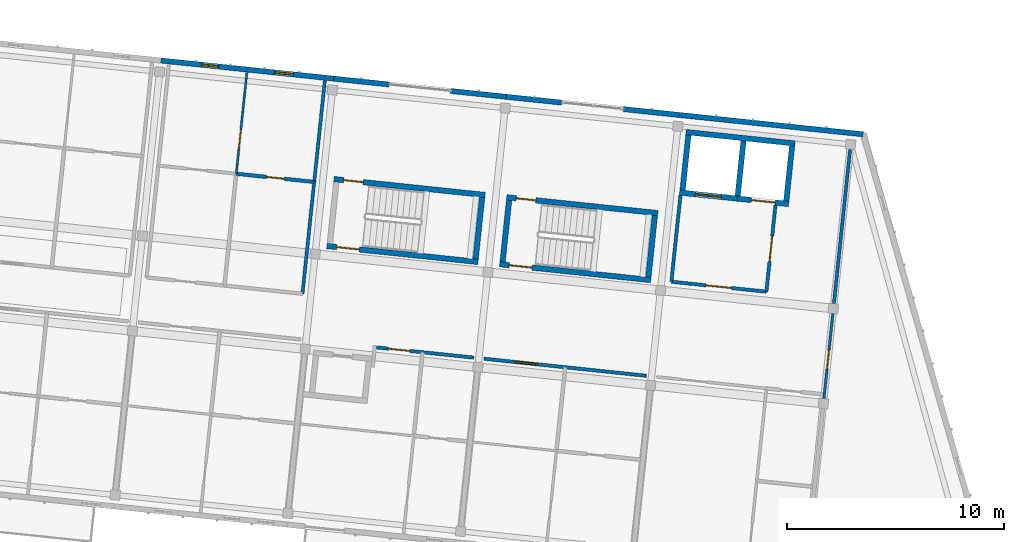
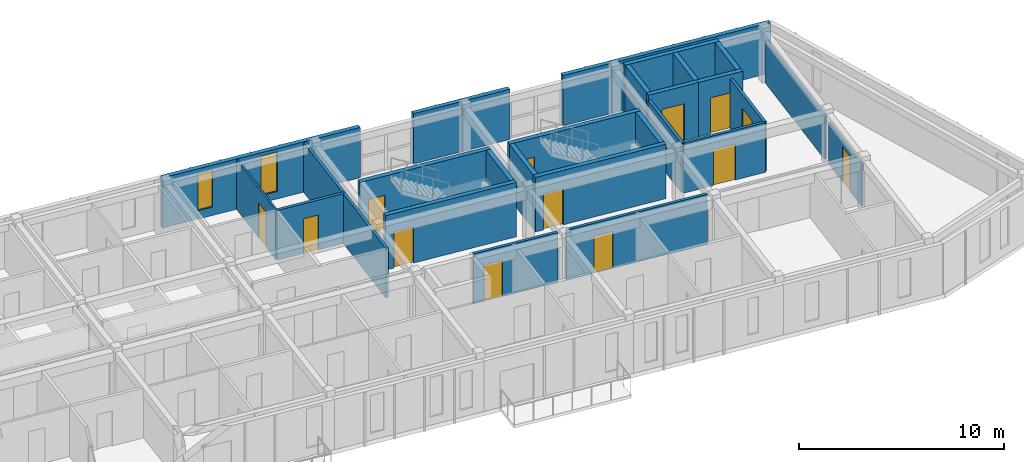
# One storey, part 36 of 64: 29 walls, 13 doors, 2 windows, 15 openings.
"""IFC4 building model written with IfcOpenShell, lengths in metres."""

from ifc_helpers import new_model, si_unit, direction, frame, frame_2d, origin, place, context, subcontext, project, spatial, rectangle, extrude, material, layer, layer_set, type_object, element, fill, save


model = new_model("IFC4")

# Units and contexts
model_context = context("Model", 3, precision=1e-05, world=origin(), true_north=direction((0.0, 1.0)))
body_context = subcontext(model_context, "Body", "Model", "MODEL_VIEW")
ifc_project = project(units=[si_unit("LENGTHUNIT", "METRE"), si_unit("AREAUNIT", "SQUARE_METRE"), si_unit("VOLUMEUNIT", "CUBIC_METRE"), si_unit("PLANEANGLEUNIT", "RADIAN"), si_unit("MASSUNIT", "GRAM", prefix="KILO")], contexts=[model_context])

# Site, building, storey
site_placement = place(None, origin())
site = spatial("IfcSite", under=ifc_project, at=site_placement, CompositionType="ELEMENT")
building_placement = place(site_placement, origin())
building = spatial("IfcBuilding", under=site, at=building_placement, Name="Kestramere Prow Commons", CompositionType="ELEMENT")
storey_placement = place(building_placement, frame((0.0, 0.0, 24.64990234375)))
storey = spatial("IfcBuildingStorey", under=building, at=storey_placement, Name="L07", CompositionType="ELEMENT", Elevation=24.64990234375)

# Wall, openings, windows
ifc_material_1 = material(Name="Fluoropolymer Standing-Seam Zinc-Aluminium Cladding", Category="aluminium")
ifc_layer_1 = layer(ifc_material_1, 0.239990234375)
ifc_layer_set_1 = layer_set([ifc_layer_1], Name="Fluoropolymer Standing-Seam Zinc-Aluminium Cladding")
wall_type_1 = type_object("IfcWallType", Name="EW-SEAM-240", PredefinedType="SOLIDWALL", material=ifc_layer_set_1)
wall_1_placement = place(storey_placement, frame((128.015869140625, 113.142333984375, 0.0), z_axis=(0.0, 0.0, 1.0), x_axis=(0.994522662826, -0.104521161134, 0.0)))
wall_1 = element("IfcWall", 1, at=wall_1_placement, inside=storey, type_object=wall_type_1, Name="Block B L07 North Standing-Seam Wall 3", PredefinedType="SOLIDWALL", context=body_context, shape_type="SweptSolid", body=[
    extrude(rectangle(XDim=8.0, YDim=0.239990234375, at=frame_2d((4.0, 0.0))), origin(), (0.0, 0.0, 1.0), 3.0),
])
opening_1_placement = place(wall_1_placement, frame((1.894775390625, 0.0, 0.5)))
opening_1 = element("IfcOpeningElement", 2, at=opening_1_placement, cuts=wall_1, Name="Opening WN-11", PredefinedType="OPENING", context=body_context, shape_type="SweptSolid", body=[
    extrude(rectangle(XDim=0.780029296875, YDim=2.199951171875, at=frame_2d((0.39013671875, 1.10009765625))), frame((0.0, 0.135009765625, 0.0), z_axis=(0.0, -1.0, 0.0), x_axis=(1.0, 0.0, 0.0)), (0.0, 0.0, 1.0), 0.27001953125),
])
opening_2_placement = place(wall_1_placement, frame((5.27587890625, 0.0, 0.43994140625)))
opening_2 = element("IfcOpeningElement", 3, at=opening_2_placement, cuts=wall_1, Name="Opening WN-15", PredefinedType="OPENING", context=body_context, shape_type="SweptSolid", body=[
    extrude(rectangle(XDim=0.860107421875, YDim=2.360107421875, at=frame_2d((0.43017578125, 1.18017578125))), frame((0.0, 0.135009765625, 0.0), z_axis=(0.0, -1.0, 0.0), x_axis=(1.0, 0.0, 0.0)), (0.0, 0.0, 1.0), 0.27001953125),
])
ifc_material_2 = material(Name="Low-E Laminated Double Glazing", Category="glass")
window_type_1 = type_object("IfcWindowType", Name="WN-NAR-780A", PartitioningType="SINGLE_PANEL", PredefinedType="WINDOW", material=ifc_material_2)
window_1_placement = place(opening_1_placement, origin())
window_1 = element("IfcWindow", 4, at=window_1_placement, inside=storey, type_object=window_type_1, Name="WN-B-L07-N-2-0", OverallHeight=2.199951171875, OverallWidth=0.780029296875, PartitioningType="SINGLE_PANEL", PredefinedType="WINDOW", context=body_context, shape_type="SweptSolid", body=[
    extrude(rectangle(XDim=0.780029296875, YDim=2.199951171875, at=frame_2d((0.39013671875, 1.10009765625))), frame((0.0, 0.030029296875, 0.0), z_axis=(0.0, -1.0, 0.0), x_axis=(1.0, 0.0, 0.0)), (0.0, 0.0, 1.0), 0.06005859375),
])
fill(opening_1, window_1)
window_type_2 = type_object("IfcWindowType", Name="WN-NAR-860A", PartitioningType="DOUBLE_PANEL_VERTICAL", PredefinedType="WINDOW", material=ifc_material_2)
window_2_placement = place(opening_2_placement, origin())
window_2 = element("IfcWindow", 5, at=window_2_placement, inside=storey, type_object=window_type_2, Name="WN-B-L07-N-2-1", OverallHeight=2.360107421875, OverallWidth=0.860107421875, PartitioningType="SINGLE_PANEL", PredefinedType="WINDOW", context=body_context, shape_type="SweptSolid", body=[
    extrude(rectangle(XDim=0.860107421875, YDim=2.360107421875, at=frame_2d((0.43017578125, 1.18017578125))), frame((0.0, 0.030029296875, 0.0), z_axis=(0.0, -1.0, 0.0), x_axis=(1.0, 0.0, 0.0)), (0.0, 0.0, 1.0), 0.06005859375),
])
fill(opening_2, window_2)

# Walls
for number, where, z_axis, x_axis, name in (
    (6, (135.97216796875, 112.30615234375, 0.0), (0.0, 0.0, 1.0), (0.99451635776, -0.104581136677, 0.0), "Block B L07 North Standing-Seam Pier 4L"),
    (7, (141.367431640625, 111.739013671875, 0.0), (0.0, 0.0, 1.0), (0.99451635776, -0.104581136677, 0.0), "Block B L07 North Standing-Seam Pier 4R"),
):
    element("IfcWall", number, at=place(storey_placement, frame(where, z_axis=z_axis, x_axis=x_axis)), inside=storey, type_object=wall_type_1, Name=name, PredefinedType="SOLIDWALL", context=body_context, shape_type="SweptSolid", body=[
        extrude(rectangle(XDim=2.574951171875, YDim=0.239990234375, at=frame_2d((1.28759765625, 0.0))), origin(), (0.0, 0.0, 1.0), 3.0),
    ])
wall_2_placement = place(storey_placement, frame((143.92822265625, 111.4697265625, 0.0), z_axis=(0.0, 0.0, 1.0), x_axis=(0.994527249958, -0.104477505191, 0.0)))
element("IfcWall", 8, at=wall_2_placement, inside=storey, type_object=wall_type_1, Name="Block B L07 North Standing-Seam Pier 5L", PredefinedType="SOLIDWALL", context=body_context, shape_type="SweptSolid", body=[
    extrude(rectangle(XDim=2.5751953125, YDim=0.239990234375, at=frame_2d((1.28759765625, 0.0))), origin(), (0.0, 0.0, 1.0), 3.0),
])
wall_3_placement = place(storey_placement, frame((149.32373046875, 110.90283203125, 0.0), z_axis=(0.0, 0.0, 1.0), x_axis=(0.99451635776, -0.104581136677, 0.0)))
element("IfcWall", 9, at=wall_3_placement, inside=storey, type_object=wall_type_1, Name="Block B L07 North Standing-Seam Pier 5R", PredefinedType="SOLIDWALL", context=body_context, shape_type="SweptSolid", body=[
    extrude(rectangle(XDim=2.574951171875, YDim=0.239990234375, at=frame_2d((1.28759765625, 0.0))), origin(), (0.0, 0.0, 1.0), 3.0),
])
wall_4_placement = place(storey_placement, frame((151.884521484375, 110.633544921875, 0.0), z_axis=(0.0, 0.0, 1.0), x_axis=(0.994521760736, -0.104529744196, 0.0)))
element("IfcWall", 10, at=wall_4_placement, inside=storey, type_object=wall_type_1, Name="Block B L07 North Standing-Seam Wall 6", PredefinedType="SOLIDWALL", context=body_context, shape_type="SweptSolid", body=[
    extrude(rectangle(XDim=8.52490234375, YDim=0.239990234375, at=frame_2d((4.262451171875, 0.0))), origin(), (0.0, 0.0, 1.0), 3.0),
])
ifc_material_3 = material(Name="Concrete C40/50", Category="concrete")
ifc_layer_2 = layer(ifc_material_3, 0.25)
ifc_layer_set_2 = layer_set([ifc_layer_2], Name="Concrete C40/50")
wall_type_2 = type_object("IfcWallType", Name="W-CORE-250", PredefinedType="SHEAR", material=ifc_layer_set_2)
wall_5_placement = place(storey_placement, frame((152.203857421875, 109.845947265625, 0.0), z_axis=(0.0, 0.0, 1.0), x_axis=(0.994522922189, -0.104518693261, 0.0)))
element("IfcWall", 11, at=wall_5_placement, inside=storey, type_object=wall_type_2, Name="Block B L07 Lift Core Back Wall", PredefinedType="SHEAR", context=body_context, shape_type="SweptSolid", body=[
    extrude(rectangle(XDim=5.050048828125, YDim=0.25, at=frame_2d((2.52490234375, 0.0))), origin(), (0.0, 0.0, 1.0), 3.25),
])

# Wall, opening, door
wall_6_placement = place(storey_placement, frame((151.9111328125, 107.061279296875, 0.0), z_axis=(0.0, 0.0, 1.0), x_axis=(0.994524939068, -0.104499500343, 0.0)))
wall_6 = element("IfcWall", 12, at=wall_6_placement, inside=storey, type_object=wall_type_2, Name="Block B L07 Fire Lift Shaft Front Wall", PredefinedType="SHEAR", context=body_context, shape_type="SweptSolid", body=[
    extrude(rectangle(XDim=2.675048828125, YDim=0.25, at=frame_2d((1.33740234375, 0.0))), origin(), (0.0, 0.0, 1.0), 3.25),
])
opening_3_placement = place(wall_6_placement, frame((0.719970703125, 0.0, 0.0)))
opening_3 = element("IfcOpeningElement", 13, at=opening_3_placement, cuts=wall_6, Name="Opening LD-02", PredefinedType="OPENING", context=body_context, shape_type="SweptSolid", body=[
    extrude(rectangle(XDim=1.199951171875, YDim=2.199951171875, at=frame_2d((0.60009765625, 1.10009765625))), frame((0.0, 0.139892578125, 0.0), z_axis=(0.0, -1.0, 0.0), x_axis=(1.0, 0.0, 0.0)), (0.0, 0.0, 1.0), 0.280029296875),
])
ifc_material_4 = material(Name="Brushed Stainless Steel 316", Category="steel")
door_type_1 = type_object("IfcDoorType", Name="LD-02", OperationType="DOUBLE_DOOR_SLIDING", PredefinedType="DOOR", material=ifc_material_4)
door_1_placement = place(opening_3_placement, origin())
door_1 = element("IfcDoor", 14, at=door_1_placement, inside=storey, type_object=door_type_1, Name="FL-B1 L07 Lift Landing Door", OperationType="DOUBLE_DOOR_SLIDING", OverallHeight=2.199951171875, OverallWidth=1.199951171875, PredefinedType="DOOR", context=body_context, shape_type="SweptSolid", body=[
    extrude(rectangle(XDim=1.199951171875, YDim=2.199951171875, at=frame_2d((0.60009765625, 1.10009765625))), frame((0.0, 0.02490234375, 0.0), z_axis=(0.0, -1.0, 0.0), x_axis=(1.0, 0.0, 0.0)), (0.0, 0.0, 1.0), 0.050048828125),
])
fill(opening_3, door_1)

wall_7_placement = place(storey_placement, frame((154.571533203125, 106.78173828125, 0.0), z_axis=(0.0, 0.0, 1.0), x_axis=(0.994520650134, -0.1045403102, 0.0)))
wall_7 = element("IfcWall", 15, at=wall_7_placement, inside=storey, type_object=wall_type_2, Name="Block B L07 Passenger Lift Shaft Front Wall", PredefinedType="SHEAR", context=body_context, shape_type="SweptSolid", body=[
    extrude(rectangle(XDim=2.375, YDim=0.25, at=frame_2d((1.1875, 0.0))), origin(), (0.0, 0.0, 1.0), 3.25),
])
opening_4_placement = place(wall_7_placement, frame((0.64990234375, 0.0, 0.0)))
opening_4 = element("IfcOpeningElement", 16, at=opening_4_placement, cuts=wall_7, Name="Opening LD-01", PredefinedType="OPENING", context=body_context, shape_type="SweptSolid", body=[
    extrude(rectangle(XDim=1.10009765625, YDim=2.14990234375, at=frame_2d((0.550048828125, 1.074951171875))), frame((0.0, 0.139892578125, 0.0), z_axis=(0.0, -1.0, 0.0), x_axis=(1.0, 0.0, 0.0)), (0.0, 0.0, 1.0), 0.280029296875),
])
ifc_material_5 = material(Name="Brushed Stainless Steel 304", Category="steel")
door_type_2 = type_object("IfcDoorType", Name="LD-01", OperationType="DOUBLE_DOOR_SLIDING", PredefinedType="DOOR", material=ifc_material_5)
door_2_placement = place(opening_4_placement, origin())
door_2 = element("IfcDoor", 17, at=door_2_placement, inside=storey, type_object=door_type_2, Name="PL-B2 L07 Lift Landing Door", OperationType="DOUBLE_DOOR_SLIDING", OverallHeight=2.14990234375, OverallWidth=1.10009765625, PredefinedType="DOOR", context=body_context, shape_type="SweptSolid", body=[
    extrude(rectangle(XDim=1.10009765625, YDim=2.14990234375, at=frame_2d((0.550048828125, 1.074951171875))), frame((0.0, 0.02490234375, 0.0), z_axis=(0.0, -1.0, 0.0), x_axis=(1.0, 0.0, 0.0)), (0.0, 0.0, 1.0), 0.050048828125),
])
fill(opening_4, door_2)

# Walls
for number, where, z_axis, x_axis, name in (
    (18, (152.048583984375, 107.172607421875, 0.0), (0.0, 0.0, 1.0), (0.104555197931, 0.994519085079, 0.0), "Block B L07 Lift Core Side Wall L"),
    (19, (154.584716796875, 106.906005859375, 0.0), (0.0, 0.0, 1.0), (0.104555197931, 0.994519085079, 0.0), "Block B L07 Lift Core Side Wall M"),
):
    element("IfcWall", number, at=place(storey_placement, frame(where, z_axis=z_axis, x_axis=x_axis)), inside=storey, type_object=wall_type_2, Name=name, PredefinedType="SHEAR", context=body_context, shape_type="SweptSolid", body=[
        extrude(rectangle(XDim=2.5498046875, YDim=0.25, at=frame_2d((1.27490234375, 0.0))), origin(), (0.0, 0.0, 1.0), 3.25),
    ])
wall_8_placement = place(storey_placement, frame((156.822265625, 106.670654296875, 0.0), z_axis=(0.0, 0.0, 1.0), x_axis=(0.104545242946, 0.99452013161, 0.0)))
element("IfcWall", 20, at=wall_8_placement, inside=storey, type_object=wall_type_2, Name="Block B L07 Lift Core Side Wall R", PredefinedType="SHEAR", context=body_context, shape_type="SweptSolid", body=[
    extrude(rectangle(XDim=2.550048828125, YDim=0.25, at=frame_2d((1.27490234375, 0.0))), origin(), (0.0, 0.0, 1.0), 3.25),
])

# Wall, opening, door
wall_9_placement = place(storey_placement, frame((135.988525390625, 107.678955078125, 0.0), z_axis=(0.0, 0.0, 1.0), x_axis=(0.994522066748, -0.104526832686, 0.0)))
wall_9 = element("IfcWall", 21, at=wall_9_placement, inside=storey, type_object=wall_type_2, Name="ST-B1 L07 North Shaft Wall", PredefinedType="SHEAR", context=body_context, shape_type="SweptSolid", body=[
    extrude(rectangle(XDim=7.0, YDim=0.25, at=frame_2d((3.5, 0.0))), origin(), (0.0, 0.0, 1.0), 3.25),
])
opening_5_placement = place(wall_9_placement, frame((0.449951171875, 0.0, 0.0)))
opening_5 = element("IfcOpeningElement", 22, at=opening_5_placement, cuts=wall_9, Name="Opening ID-08", PredefinedType="OPENING", context=body_context, shape_type="SweptSolid", body=[
    extrude(rectangle(XDim=0.89990234375, YDim=2.10009765625, at=frame_2d((0.449951171875, 1.050048828125))), frame((0.0, 0.139892578125, 0.0), z_axis=(0.0, -1.0, 0.0), x_axis=(1.0, 0.0, 0.0)), (0.0, 0.0, 1.0), 0.280029296875),
])
ifc_material_6 = material(Name="Engineered Timber Flush Door", Category="wood")
door_type_3 = type_object("IfcDoorType", Name="D-RM-01", OperationType="NOTDEFINED", PredefinedType="DOOR", material=ifc_material_6)
door_3_placement = place(opening_5_placement, origin())
door_3 = element("IfcDoor", 23, at=door_3_placement, inside=storey, type_object=door_type_3, Name="ST-B1 L07 North Room Door", OperationType="SINGLE_SWING_RIGHT", OverallHeight=2.10009765625, OverallWidth=0.89990234375, PredefinedType="DOOR", context=body_context, shape_type="SweptSolid", body=[
    extrude(rectangle(XDim=0.89990234375, YDim=2.10009765625, at=frame_2d((0.449951171875, 1.050048828125))), frame((0.0, 0.02490234375, 0.0), z_axis=(0.0, -1.0, 0.0), x_axis=(1.0, 0.0, 0.0)), (0.0, 0.0, 1.0), 0.050048828125),
])
fill(opening_5, door_3)

wall_10_placement = place(storey_placement, frame((135.66455078125, 104.595947265625, 0.0), z_axis=(0.0, 0.0, 1.0), x_axis=(0.994522066748, -0.104526832686, 0.0)))
wall_10 = element("IfcWall", 24, at=wall_10_placement, inside=storey, type_object=wall_type_2, Name="ST-B1 L07 Corridor Shaft Wall", PredefinedType="SHEAR", context=body_context, shape_type="SweptSolid", body=[
    extrude(rectangle(XDim=7.0, YDim=0.25, at=frame_2d((3.5, 0.0))), origin(), (0.0, 0.0, 1.0), 3.25),
])
opening_6_placement = place(wall_10_placement, frame((0.449951171875, 0.0, 0.0)))
opening_6 = element("IfcOpeningElement", 25, at=opening_6_placement, cuts=wall_10, Name="Opening ID-01", PredefinedType="OPENING", context=body_context, shape_type="SweptSolid", body=[
    extrude(rectangle(XDim=1.050048828125, YDim=2.14990234375, at=frame_2d((0.52490234375, 1.074951171875))), frame((0.0, 0.139892578125, 0.0), z_axis=(0.0, -1.0, 0.0), x_axis=(1.0, 0.0, 0.0)), (0.0, 0.0, 1.0), 0.280029296875),
])
ifc_material_7 = material(Name="Fire-Rated Timber and Steel Frame", Category="steel")
door_type_4 = type_object("IfcDoorType", Name="FD-ST-01", OperationType="NOTDEFINED", PredefinedType="DOOR", material=ifc_material_7)
door_4_placement = place(opening_6_placement, origin())
door_4 = element("IfcDoor", 26, at=door_4_placement, inside=storey, type_object=door_type_4, Name="ST-B1 L07 Protected Stair Door", OperationType="SINGLE_SWING_RIGHT", OverallHeight=2.14990234375, OverallWidth=1.050048828125, PredefinedType="DOOR", context=body_context, shape_type="SweptSolid", body=[
    extrude(rectangle(XDim=1.050048828125, YDim=2.14990234375, at=frame_2d((0.52490234375, 1.074951171875))), frame((0.0, 0.02490234375, 0.0), z_axis=(0.0, -1.0, 0.0), x_axis=(1.0, 0.0, 0.0)), (0.0, 0.0, 1.0), 0.050048828125),
])
fill(opening_6, door_4)

# Wall
wall_11_placement = place(storey_placement, frame((142.514892578125, 104.001708984375, 0.0), z_axis=(0.0, 0.0, 1.0), x_axis=(0.104515324063, 0.994523276267, 0.0)))
element("IfcWall", 27, at=wall_11_placement, inside=storey, type_object=wall_type_2, Name="ST-B1 L07 Far Shaft Wall", PredefinedType="SHEAR", context=body_context, shape_type="SweptSolid", body=[
    extrude(rectangle(XDim=2.849853515625, YDim=0.25, at=frame_2d((1.4248046875, 0.0))), origin(), (0.0, 0.0, 1.0), 3.25),
])

# Wall, opening, door
wall_12_placement = place(storey_placement, frame((143.94482421875, 106.8427734375, 0.0), z_axis=(0.0, 0.0, 1.0), x_axis=(0.994522066748, -0.104526832686, 0.0)))
wall_12 = element("IfcWall", 28, at=wall_12_placement, inside=storey, type_object=wall_type_2, Name="ST-B2 L07 North Shaft Wall", PredefinedType="SHEAR", context=body_context, shape_type="SweptSolid", body=[
    extrude(rectangle(XDim=7.0, YDim=0.25, at=frame_2d((3.5, 0.0))), origin(), (0.0, 0.0, 1.0), 3.25),
])
opening_7_placement = place(wall_12_placement, frame((0.449951171875, 0.0, 0.0)))
opening_7 = element("IfcOpeningElement", 29, at=opening_7_placement, cuts=wall_12, Name="Opening ID-08", PredefinedType="OPENING", context=body_context, shape_type="SweptSolid", body=[
    extrude(rectangle(XDim=0.89990234375, YDim=2.10009765625, at=frame_2d((0.449951171875, 1.050048828125))), frame((0.0, 0.139892578125, 0.0), z_axis=(0.0, -1.0, 0.0), x_axis=(1.0, 0.0, 0.0)), (0.0, 0.0, 1.0), 0.280029296875),
])
door_5_placement = place(opening_7_placement, origin())
door_5 = element("IfcDoor", 30, at=door_5_placement, inside=storey, type_object=door_type_3, Name="ST-B2 L07 North Room Door", OperationType="SINGLE_SWING_RIGHT", OverallHeight=2.10009765625, OverallWidth=0.89990234375, PredefinedType="DOOR", context=body_context, shape_type="SweptSolid", body=[
    extrude(rectangle(XDim=0.89990234375, YDim=2.10009765625, at=frame_2d((0.449951171875, 1.050048828125))), frame((0.0, 0.02490234375, 0.0), z_axis=(0.0, -1.0, 0.0), x_axis=(1.0, 0.0, 0.0)), (0.0, 0.0, 1.0), 0.050048828125),
])
fill(opening_7, door_5)

wall_13_placement = place(storey_placement, frame((143.62060546875, 103.759765625, 0.0), z_axis=(0.0, 0.0, 1.0), x_axis=(0.994522066748, -0.104526832686, 0.0)))
wall_13 = element("IfcWall", 31, at=wall_13_placement, inside=storey, type_object=wall_type_2, Name="ST-B2 L07 Corridor Shaft Wall", PredefinedType="SHEAR", context=body_context, shape_type="SweptSolid", body=[
    extrude(rectangle(XDim=7.0, YDim=0.25, at=frame_2d((3.5, 0.0))), origin(), (0.0, 0.0, 1.0), 3.25),
])
opening_8_placement = place(wall_13_placement, frame((0.449951171875, 0.0, 0.0)))
opening_8 = element("IfcOpeningElement", 32, at=opening_8_placement, cuts=wall_13, Name="Opening ID-01", PredefinedType="OPENING", context=body_context, shape_type="SweptSolid", body=[
    extrude(rectangle(XDim=1.050048828125, YDim=2.14990234375, at=frame_2d((0.52490234375, 1.074951171875))), frame((0.0, 0.139892578125, 0.0), z_axis=(0.0, -1.0, 0.0), x_axis=(1.0, 0.0, 0.0)), (0.0, 0.0, 1.0), 0.280029296875),
])
door_6_placement = place(opening_8_placement, origin())
door_6 = element("IfcDoor", 33, at=door_6_placement, inside=storey, type_object=door_type_4, Name="ST-B2 L07 Protected Stair Door", OperationType="SINGLE_SWING_RIGHT", OverallHeight=2.14990234375, OverallWidth=1.050048828125, PredefinedType="DOOR", context=body_context, shape_type="SweptSolid", body=[
    extrude(rectangle(XDim=1.050048828125, YDim=2.14990234375, at=frame_2d((0.52490234375, 1.074951171875))), frame((0.0, 0.02490234375, 0.0), z_axis=(0.0, -1.0, 0.0), x_axis=(1.0, 0.0, 0.0)), (0.0, 0.0, 1.0), 0.050048828125),
])
fill(opening_8, door_6)

# Walls
for number, where, z_axis, x_axis, name in (
    (34, (143.758056640625, 103.87109375, 0.0), (0.0, 0.0, 1.0), (0.104515324063, 0.994523276267, 0.0), "ST-B2 L07 Near Shaft Wall"),
    (35, (150.47119140625, 103.16552734375, 0.0), (0.0, 0.0, 1.0), (0.104515324063, 0.994523276267, 0.0), "ST-B2 L07 Far Shaft Wall"),
):
    element("IfcWall", number, at=place(storey_placement, frame(where, z_axis=z_axis, x_axis=x_axis)), inside=storey, type_object=wall_type_2, Name=name, PredefinedType="SHEAR", context=body_context, shape_type="SweptSolid", body=[
        extrude(rectangle(XDim=2.849853515625, YDim=0.25, at=frame_2d((1.4248046875, 0.0))), origin(), (0.0, 0.0, 1.0), 3.25),
    ])

# Wall, opening, door
ifc_material_8 = material(Name="Fire-Rated Calcium Silicate Wall")
ifc_layer_3 = layer(ifc_material_8, 0.155029296875)
ifc_layer_set_3 = layer_set([ifc_layer_3], Name="Fire-Rated Calcium Silicate Wall")
wall_type_3 = type_object("IfcWallType", Name="W-FIRE-150", PredefinedType="PARTITIONING", material=ifc_layer_set_3)
wall_14_placement = place(storey_placement, frame((151.52978515625, 102.95361328125, 0.0), z_axis=(0.0, 0.0, 1.0), x_axis=(0.994521251134, -0.104534592565, 0.0)))
wall_14 = element("IfcWall", 36, at=wall_14_placement, inside=storey, type_object=wall_type_3, Name="Interior Partition PW-B-L07-FFL-S", PredefinedType="PARTITIONING", context=body_context, shape_type="SweptSolid", body=[
    extrude(rectangle(XDim=4.400146484375, YDim=0.155029296875, at=frame_2d((2.2001953125, 0.0))), origin(), (0.0, 0.0, 1.0), 2.97021484375),
])
opening_9_placement = place(wall_14_placement, frame((1.60009765625, 0.0, 0.0)))
opening_9 = element("IfcOpeningElement", 37, at=opening_9_placement, cuts=wall_14, Name="Opening ID-03", PredefinedType="OPENING", context=body_context, shape_type="SweptSolid", body=[
    extrude(rectangle(XDim=1.179931640625, YDim=2.14990234375, at=frame_2d((0.58984375, 1.074951171875))), frame((0.0, 0.092529296875, 0.0), z_axis=(0.0, -1.0, 0.0), x_axis=(1.0, 0.0, 0.0)), (0.0, 0.0, 1.0), 0.18505859375),
])
ifc_material_9 = material(Name="Fire-Rated Glazed Smoke-Stop Door")
door_type_5 = type_object("IfcDoorType", Name="FD-LB-01", OperationType="NOTDEFINED", PredefinedType="DOOR", material=ifc_material_9)
door_7_placement = place(opening_9_placement, origin())
door_7 = element("IfcDoor", 38, at=door_7_placement, inside=storey, type_object=door_type_5, Name="Interior Door DR-B-L07-FFL", OperationType="SINGLE_SWING_RIGHT", OverallHeight=2.14990234375, OverallWidth=1.179931640625, PredefinedType="DOOR", context=body_context, shape_type="SweptSolid", body=[
    extrude(rectangle(XDim=1.179931640625, YDim=2.14990234375, at=frame_2d((0.58984375, 1.074951171875))), frame((0.0, 0.02490234375, 0.0), z_axis=(0.0, -1.0, 0.0), x_axis=(1.0, 0.0, 0.0)), (0.0, 0.0, 1.0), 0.050048828125),
])
fill(opening_9, door_7)

# Wall
wall_15_placement = place(storey_placement, frame((151.52978515625, 102.95361328125, 0.0), z_axis=(0.0, 0.0, 1.0), x_axis=(0.104554517933, 0.994519156568, 0.0)))
element("IfcWall", 39, at=wall_15_placement, inside=storey, type_object=wall_type_3, Name="Interior Partition PW-B-L07-FFL-W", PredefinedType="PARTITIONING", context=body_context, shape_type="SweptSolid", body=[
    extrude(rectangle(XDim=4.0, YDim=0.155029296875, at=frame_2d((2.0, 0.0))), origin(), (0.0, 0.0, 1.0), 2.97021484375),
])

# Wall, opening, door
wall_16_placement = place(storey_placement, frame((155.90576171875, 102.49365234375, 0.0), z_axis=(0.0, 0.0, 1.0), x_axis=(0.104494148666, 0.99452550138, 0.0)))
wall_16 = element("IfcWall", 40, at=wall_16_placement, inside=storey, type_object=wall_type_3, Name="Interior Partition PW-B-L07-FFL-E", PredefinedType="PARTITIONING", context=body_context, shape_type="SweptSolid", body=[
    extrude(rectangle(XDim=4.0, YDim=0.155029296875, at=frame_2d((2.0, 0.0))), origin(), (0.0, 0.0, 1.0), 2.97021484375),
])
opening_10_placement = place(wall_16_placement, frame((1.39990234375, 0.0, 0.0)))
opening_10 = element("IfcOpeningElement", 41, at=opening_10_placement, cuts=wall_16, Name="Opening ID-03", PredefinedType="OPENING", context=body_context, shape_type="SweptSolid", body=[
    extrude(rectangle(XDim=1.179931640625, YDim=2.14990234375, at=frame_2d((0.58984375, 1.074951171875))), frame((0.0, 0.092529296875, 0.0), z_axis=(0.0, -1.0, 0.0), x_axis=(1.0, 0.0, 0.0)), (0.0, 0.0, 1.0), 0.18505859375),
])
door_8_placement = place(opening_10_placement, origin())
door_8 = element("IfcDoor", 42, at=door_8_placement, inside=storey, type_object=door_type_5, Name="Interior Door DR-B-L07-FFL-PL", OperationType="SINGLE_SWING_LEFT", OverallHeight=2.14990234375, OverallWidth=1.179931640625, PredefinedType="DOOR", context=body_context, shape_type="SweptSolid", body=[
    extrude(rectangle(XDim=1.179931640625, YDim=2.14990234375, at=frame_2d((0.58984375, 1.074951171875))), frame((0.0, 0.02490234375, 0.0), z_axis=(0.0, -1.0, 0.0), x_axis=(1.0, 0.0, 0.0)), (0.0, 0.0, 1.0), 0.050048828125),
])
fill(opening_10, door_8)

wall_17_placement = place(storey_placement, frame((137.948974609375, 99.926513671875, 0.0), z_axis=(0.0, 0.0, 1.0), x_axis=(0.994526220308, -0.104487306019, 0.0)))
wall_17 = element("IfcWall", 43, at=wall_17_placement, inside=storey, type_object=wall_type_3, Name="Interior Partition PW-B-L07-CS-3", PredefinedType="PARTITIONING", context=body_context, shape_type="SweptSolid", body=[
    extrude(rectangle(XDim=4.5048828125, YDim=0.155029296875, at=frame_2d((2.25244140625, 0.0))), origin(), (0.0, 0.0, 1.0), 2.97021484375),
])
opening_11_placement = place(wall_17_placement, frame((0.556884765625, 0.0, 0.0)))
opening_11 = element("IfcOpeningElement", 44, at=opening_11_placement, cuts=wall_17, Name="Opening ID-04", PredefinedType="OPENING", context=body_context, shape_type="SweptSolid", body=[
    extrude(rectangle(XDim=0.97998046875, YDim=2.14990234375, at=frame_2d((0.489990234375, 1.074951171875))), frame((0.0, 0.092529296875, 0.0), z_axis=(0.0, -1.0, 0.0), x_axis=(1.0, 0.0, 0.0)), (0.0, 0.0, 1.0), 0.18505859375),
])
ifc_material_10 = material(Name="Hardwood Fire-Rated Flat Entrance Door", Category="wood")
door_type_6 = type_object("IfcDoorType", Name="FD-ENT-01", OperationType="NOTDEFINED", PredefinedType="DOOR", material=ifc_material_10)
door_9_placement = place(opening_11_placement, origin())
door_9 = element("IfcDoor", 45, at=door_9_placement, inside=storey, type_object=door_type_6, Name="Interior Door DR-B-L07-ENT-S3", OperationType="SINGLE_SWING_LEFT", OverallHeight=2.14990234375, OverallWidth=0.97998046875, PredefinedType="DOOR", context=body_context, shape_type="SweptSolid", body=[
    extrude(rectangle(XDim=0.97998046875, YDim=2.14990234375, at=frame_2d((0.489990234375, 1.074951171875))), frame((0.0, 0.02490234375, 0.0), z_axis=(0.0, -1.0, 0.0), x_axis=(1.0, 0.0, 0.0)), (0.0, 0.0, 1.0), 0.050048828125),
])
fill(opening_11, door_9)

wall_18_placement = place(storey_placement, frame((142.896728515625, 99.406494140625, 0.0), z_axis=(0.0, 0.0, 1.0), x_axis=(0.994521785195, -0.104529511491, 0.0)))
wall_18 = element("IfcWall", 46, at=wall_18_placement, inside=storey, type_object=wall_type_3, Name="Interior Partition PW-B-L07-CS-4", PredefinedType="PARTITIONING", context=body_context, shape_type="SweptSolid", body=[
    extrude(rectangle(XDim=7.530029296875, YDim=0.155029296875, at=frame_2d((3.76513671875, 0.0))), origin(), (0.0, 0.0, 1.0), 2.97021484375),
])
opening_12_placement = place(wall_18_placement, frame((1.455078125, 0.0, 0.0)))
opening_12 = element("IfcOpeningElement", 47, at=opening_12_placement, cuts=wall_18, Name="Opening ID-05", PredefinedType="OPENING", context=body_context, shape_type="SweptSolid", body=[
    extrude(rectangle(XDim=1.02001953125, YDim=2.199951171875, at=frame_2d((0.510009765625, 1.10009765625))), frame((0.0, 0.092529296875, 0.0), z_axis=(0.0, -1.0, 0.0), x_axis=(1.0, 0.0, 0.0)), (0.0, 0.0, 1.0), 0.18505859375),
])
door_type_7 = type_object("IfcDoorType", Name="FD-ENT-02", OperationType="NOTDEFINED", PredefinedType="DOOR", material=ifc_material_10)
door_10_placement = place(opening_12_placement, origin())
door_10 = element("IfcDoor", 48, at=door_10_placement, inside=storey, type_object=door_type_7, Name="Interior Door DR-B-L07-ENT-S4", OperationType="SINGLE_SWING_RIGHT", OverallHeight=2.199951171875, OverallWidth=1.02001953125, PredefinedType="DOOR", context=body_context, shape_type="SweptSolid", body=[
    extrude(rectangle(XDim=1.02001953125, YDim=2.199951171875, at=frame_2d((0.510009765625, 1.10009765625))), frame((0.0, 0.02490234375, 0.0), z_axis=(0.0, -1.0, 0.0), x_axis=(1.0, 0.0, 0.0)), (0.0, 0.0, 1.0), 0.050048828125),
])
fill(opening_12, door_10)

ifc_material_11 = material(Name="Gypsum Acoustic Drywall")
ifc_layer_4 = layer(ifc_material_11, 0.10009765625)
ifc_layer_set_4 = layer_set([ifc_layer_4], Name="Gypsum Acoustic Drywall")
wall_type_4 = type_object("IfcWallType", Name="W-PART-100", PredefinedType="PARTITIONING", material=ifc_layer_set_4)
wall_19_placement = place(storey_placement, frame((131.48974609375, 107.925537109375, 0.0), z_axis=(0.0, 0.0, 1.0), x_axis=(0.104527618124, 0.994521984196, 0.0)))
wall_19 = element("IfcWall", 49, at=wall_19_placement, inside=storey, type_object=wall_type_4, Name="Interior Partition PW-B-L07-LB-N2", PredefinedType="PARTITIONING", context=body_context, shape_type="SweptSolid", body=[
    extrude(rectangle(XDim=4.68994140625, YDim=0.10009765625, at=frame_2d((2.344970703125, 0.0))), origin(), (0.0, 0.0, 1.0), 2.97021484375),
])
opening_13_placement = place(wall_19_placement, frame((1.14990234375, 0.0, 0.0)))
opening_13 = element("IfcOpeningElement", 50, at=opening_13_placement, cuts=wall_19, Name="Opening ID-10", PredefinedType="OPENING", context=body_context, shape_type="SweptSolid", body=[
    extrude(rectangle(XDim=0.8798828125, YDim=2.10009765625, at=frame_2d((0.43994140625, 1.050048828125))), frame((0.0, 0.06494140625, 0.0), z_axis=(0.0, -1.0, 0.0), x_axis=(1.0, 0.0, 0.0)), (0.0, 0.0, 1.0), 0.130126953125),
])
ifc_material_12 = material(Name="Engineered Timber Bedroom Door", Category="wood")
door_type_8 = type_object("IfcDoorType", Name="D-RM-03", OperationType="NOTDEFINED", PredefinedType="DOOR", material=ifc_material_12)
door_11_placement = place(opening_13_placement, origin())
door_11 = element("IfcDoor", 51, at=door_11_placement, inside=storey, type_object=door_type_8, Name="Interior Door DR-B-L07-BED-N2", OperationType="SINGLE_SWING_LEFT", OverallHeight=2.10009765625, OverallWidth=0.8798828125, PredefinedType="DOOR", context=body_context, shape_type="SweptSolid", body=[
    extrude(rectangle(XDim=0.8798828125, YDim=2.10009765625, at=frame_2d((0.43994140625, 1.050048828125))), frame((0.0, 0.02490234375, 0.0), z_axis=(0.0, -1.0, 0.0), x_axis=(1.0, 0.0, 0.0)), (0.0, 0.0, 1.0), 0.050048828125),
])
fill(opening_13, door_11)

ifc_material_13 = material(Name="Lightweight Blockwork and Plaster", Category="masonry")
ifc_layer_5 = layer(ifc_material_13, 0.1201171875)
ifc_layer_set_5 = layer_set([ifc_layer_5], Name="Lightweight Blockwork and Plaster")
wall_type_5 = type_object("IfcWallType", Name="W-PART-120", PredefinedType="PARTITIONING", material=ifc_layer_set_5)
wall_20_placement = place(storey_placement, frame((158.55615234375, 97.57470703125, 0.0), z_axis=(0.0, 0.0, 1.0), x_axis=(0.104490754769, 0.994525857968, 0.0)))
wall_20 = element("IfcWall", 52, at=wall_20_placement, inside=storey, type_object=wall_type_5, Name="Interior Partition PW-B-L07-PROW-ACC", PredefinedType="PARTITIONING", context=body_context, shape_type="SweptSolid", body=[
    extrude(rectangle(XDim=3.929931640625, YDim=0.1201171875, at=frame_2d((1.96484375, 0.0))), origin(), (0.0, 0.0, 1.0), 2.5),
])
opening_14_placement = place(wall_20_placement, frame((1.35009765625, 0.0, 0.0)))
opening_14 = element("IfcOpeningElement", 53, at=opening_14_placement, cuts=wall_20, Name="Opening ID-08", PredefinedType="OPENING", context=body_context, shape_type="SweptSolid", body=[
    extrude(rectangle(XDim=0.89990234375, YDim=2.10009765625, at=frame_2d((0.449951171875, 1.050048828125))), frame((0.0, 0.074951171875, 0.0), z_axis=(0.0, -1.0, 0.0), x_axis=(1.0, 0.0, 0.0)), (0.0, 0.0, 1.0), 0.150146484375),
])
door_12_placement = place(opening_14_placement, origin())
door_12 = element("IfcDoor", 54, at=door_12_placement, inside=storey, type_object=door_type_3, Name="Interior Door DR-B-L07-PROW", OperationType="SINGLE_SWING_LEFT", OverallHeight=2.10009765625, OverallWidth=0.89990234375, PredefinedType="DOOR", context=body_context, shape_type="SweptSolid", body=[
    extrude(rectangle(XDim=0.89990234375, YDim=2.10009765625, at=frame_2d((0.449951171875, 1.050048828125))), frame((0.0, 0.02490234375, 0.0), z_axis=(0.0, -1.0, 0.0), x_axis=(1.0, 0.0, 0.0)), (0.0, 0.0, 1.0), 0.050048828125),
])
fill(opening_14, door_12)

# Walls
ifc_material_14 = material(Name="Masonry Compartment Wall", Category="masonry")
ifc_layer_6 = layer(ifc_material_14, 0.14990234375)
ifc_layer_set_6 = layer_set([ifc_layer_6], Name="Masonry Compartment Wall")
wall_type_6 = type_object("IfcWallType", Name="W-PART-150", PredefinedType="PARTITIONING", material=ifc_layer_set_6)
wall_21_placement = place(storey_placement, frame((159.015869140625, 101.95068359375, 0.0), z_axis=(0.0, 0.0, 1.0), x_axis=(0.104540404715, 0.994520640199, 0.0)))
element("IfcWall", 55, at=wall_21_placement, inside=storey, type_object=wall_type_6, Name="Interior Partition PW-B-L07-PRW-N", PredefinedType="PARTITIONING", context=body_context, shape_type="SweptSolid", body=[
    extrude(rectangle(XDim=7.1298828125, YDim=0.14990234375, at=frame_2d((3.56494140625, 0.0))), origin(), (0.0, 0.0, 1.0), 2.5),
])
wall_22_placement = place(storey_placement, frame((134.53857421875, 102.396728515625, 0.0), z_axis=(0.0, 0.0, 1.0), x_axis=(0.104508379977, 0.994524006002, 0.0)))
element("IfcWall", 56, at=wall_22_placement, inside=storey, type_object=wall_type_6, Name="Interior Partition PW-B-L07-NWR-2", PredefinedType="PARTITIONING", context=body_context, shape_type="SweptSolid", body=[
    extrude(rectangle(XDim=9.869873046875, YDim=0.14990234375, at=frame_2d((4.93505859375, 0.0))), origin(), (0.0, 0.0, 1.0), 2.97021484375),
])

# Wall, opening, door
ifc_material_15 = material(Name="Waterproof Sanitary Masonry Wall", Category="masonry")
ifc_layer_7 = layer(ifc_material_15, 0.1650390625)
ifc_layer_set_7 = layer_set([ifc_layer_7], Name="Waterproof Sanitary Masonry Wall")
wall_type_7 = type_object("IfcWallType", Name="W-PLUMB-150", PredefinedType="PLUMBINGWALL", material=ifc_layer_set_7)
wall_23_placement = place(storey_placement, frame((131.48974609375, 107.925537109375, 0.0), z_axis=(0.0, 0.0, 1.0), x_axis=(0.994525816262, -0.104491151726, 0.0)))
wall_23 = element("IfcWall", 57, at=wall_23_placement, inside=storey, type_object=wall_type_7, Name="Interior Partition PW-B-L07-MIDN2-2", PredefinedType="PLUMBINGWALL", context=body_context, shape_type="SweptSolid", body=[
    extrude(rectangle(XDim=3.60986328125, YDim=0.1650390625, at=frame_2d((1.804931640625, 0.0))), origin(), (0.0, 0.0, 1.0), 2.97021484375),
])
opening_15_placement = place(wall_23_placement, frame((1.39501953125, 0.0, 0.0)))
opening_15 = element("IfcOpeningElement", 58, at=opening_15_placement, cuts=wall_23, Name="Opening ID-11", PredefinedType="OPENING", context=body_context, shape_type="SweptSolid", body=[
    extrude(rectangle(XDim=0.820068359375, YDim=2.080078125, at=frame_2d((0.41015625, 1.0400390625))), frame((0.0, 0.097412109375, 0.0), z_axis=(0.0, -1.0, 0.0), x_axis=(1.0, 0.0, 0.0)), (0.0, 0.0, 1.0), 0.195068359375),
])
ifc_material_16 = material(Name="Moisture-Resistant Timber Bathroom Door", Category="wood")
door_type_9 = type_object("IfcDoorType", Name="D-BT-01", OperationType="NOTDEFINED", PredefinedType="DOOR", material=ifc_material_16)
door_13_placement = place(opening_15_placement, origin())
door_13 = element("IfcDoor", 59, at=door_13_placement, inside=storey, type_object=door_type_9, Name="Interior Door DR-B-L07-BTH-N2", OperationType="SINGLE_SWING_RIGHT", OverallHeight=2.080078125, OverallWidth=0.820068359375, PredefinedType="DOOR", context=body_context, shape_type="SweptSolid", body=[
    extrude(rectangle(XDim=0.820068359375, YDim=2.080078125, at=frame_2d((0.41015625, 1.0400390625))), frame((0.0, 0.02490234375, 0.0), z_axis=(0.0, -1.0, 0.0), x_axis=(1.0, 0.0, 0.0)), (0.0, 0.0, 1.0), 0.050048828125),
])
fill(opening_15, door_13)

save(model, "model.ifc")
